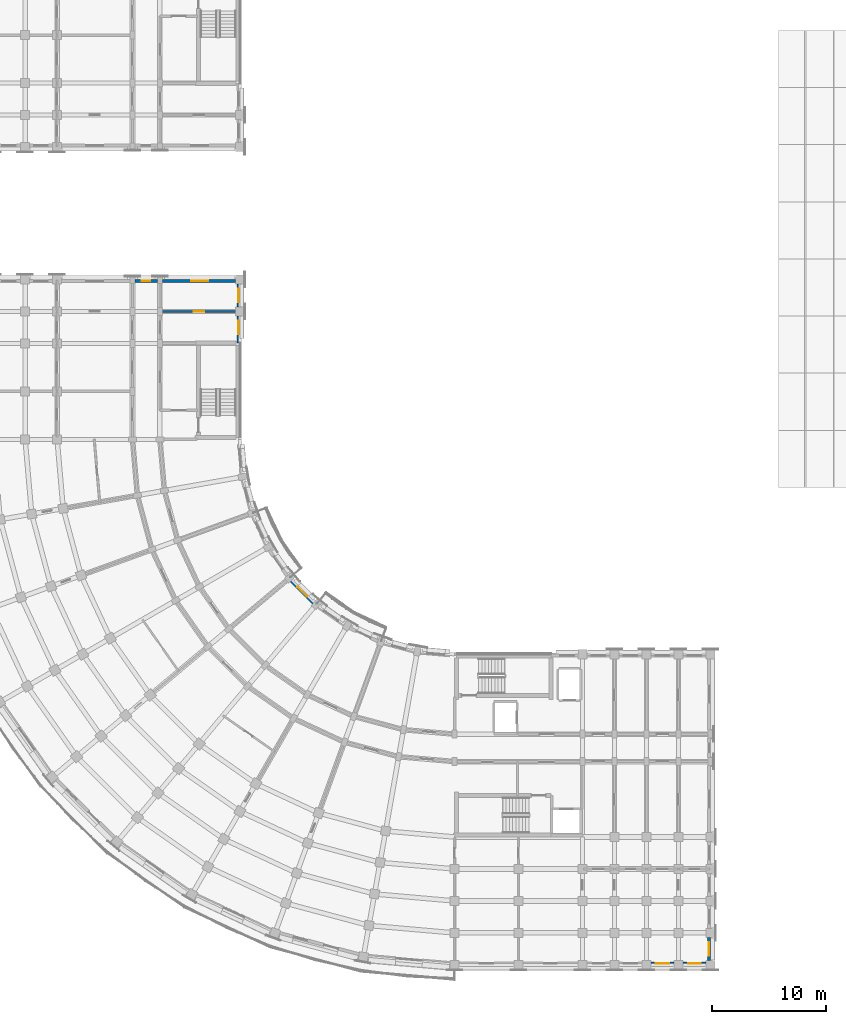
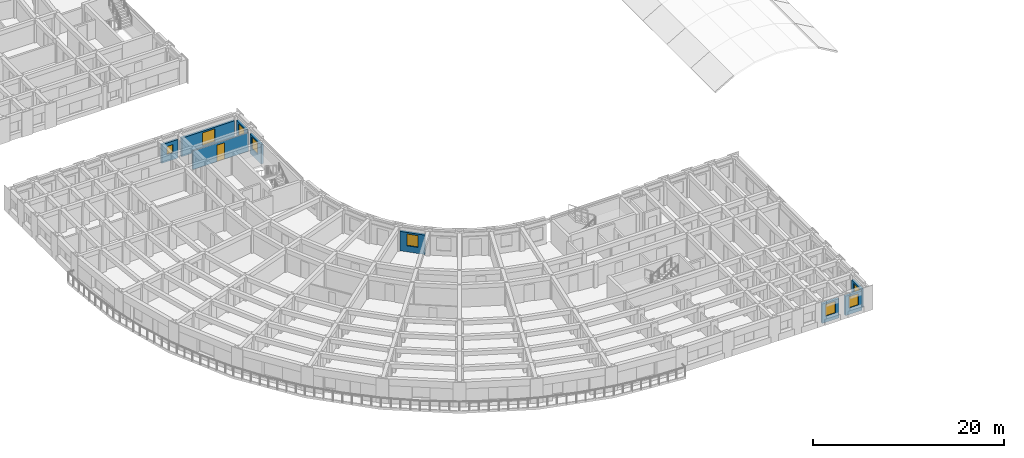
# One storey, part 20 of 54: 9 walls, 8 windows, 1 door, 9 openings.
"""IFC4 building model written with IfcOpenShell, lengths in metres."""

from ifc_helpers import new_model, si_unit, direction, frame, frame_2d, origin, place, context, subcontext, project, spatial, rectangle, extrude, material, layer, layer_set, type_object, element, fill, save


model = new_model("IFC4")

# Units and contexts
model_context = context("Model", 3, precision=1e-05, world=origin(), true_north=direction((0.0, 1.0)))
body_context = subcontext(model_context, "Body", "Model", "MODEL_VIEW")
ifc_project = project(units=[si_unit("LENGTHUNIT", "METRE"), si_unit("AREAUNIT", "SQUARE_METRE"), si_unit("VOLUMEUNIT", "CUBIC_METRE"), si_unit("PLANEANGLEUNIT", "RADIAN"), si_unit("MASSUNIT", "GRAM", prefix="KILO")], contexts=[model_context])

# Site, building, storey
site_placement = place(None, origin())
site = spatial("IfcSite", under=ifc_project, at=site_placement, CompositionType="ELEMENT")
building_placement = place(site_placement, origin())
building = spatial("IfcBuilding", under=site, at=building_placement, Name="Kiranvali Square Residences", CompositionType="ELEMENT")
storey_placement = place(building_placement, frame((0.0, 0.0, 15.0)))
storey = spatial("IfcBuildingStorey", under=building, at=storey_placement, Name="L04", CompositionType="ELEMENT", Elevation=15.0)

# Wall, opening, window
ifc_material_1 = material(Name="Breathable lime-rendered clay brick masonry", Category="masonry")
ifc_layer_1 = layer(ifc_material_1, 0.27490234375)
ifc_layer_set_1 = layer_set([ifc_layer_1], Name="Breathable lime-rendered clay brick masonry")
wall_type_1 = type_object("IfcWallType", Name="WL-EXT-275", PredefinedType="STANDARD", material=ifc_layer_set_1)
wall_1_placement = place(storey_placement, frame((35.829345703125, 33.90771484375, 0.0), z_axis=(0.0, 0.0, 1.0), x_axis=(-0.707106781187, 0.707106781187, 0.0)))
wall_1 = element("IfcWall", 1, at=wall_1_placement, inside=storey, type_object=wall_type_1, Name="L04 exterior wall C-L04-GDN-04", PredefinedType="STANDARD", context=body_context, shape_type="SweptSolid", body=[
    extrude(rectangle(XDim=2.717529296875, YDim=0.27490234375, at=frame_2d((1.35888671875, 0.0))), origin(), (0.0, 0.0, 1.0), 2.471923828125),
])
opening_1_placement = place(wall_1_placement, frame((0.7587890625, 0.0, 0.77197265625)))
opening_1 = element("IfcOpeningElement", 2, at=opening_1_placement, cuts=wall_1, Name="Opening W-06", PredefinedType="OPENING", context=body_context, shape_type="SweptSolid", body=[
    extrude(rectangle(XDim=1.199951171875, YDim=1.5, at=frame_2d((0.60009765625, 0.75))), frame((0.0, 0.1474609375, 0.0), z_axis=(0.0, -1.0, 0.0), x_axis=(1.0, 0.0, 0.0)), (0.0, 0.0, 1.0), 0.294921875),
])
ifc_material_2 = material(Name="Solar-control low-e double glazing", Category="glass")
window_type_1 = type_object("IfcWindowType", Name="WIN-RES-1200x1500", PartitioningType="SINGLE_PANEL", PredefinedType="WINDOW", material=ifc_material_2)
window_1_placement = place(opening_1_placement, origin())
window_1 = element("IfcWindow", 3, at=window_1_placement, inside=storey, type_object=window_type_1, Name="L04 recessed window C-L04-GDN-04", OverallHeight=1.5, OverallWidth=1.199951171875, PartitioningType="SINGLE_PANEL", PredefinedType="WINDOW", context=body_context, shape_type="SweptSolid", body=[
    extrude(rectangle(XDim=1.199951171875, YDim=1.5, at=frame_2d((0.60009765625, 0.75))), frame((0.0, 0.030029296875, 0.0), z_axis=(0.0, -1.0, 0.0), x_axis=(1.0, 0.0, 0.0)), (0.0, 0.0, 1.0), 0.06005859375),
])
fill(opening_1, window_1)

wall_2_placement = place(storey_placement, frame((65.403564453125, 2.324951171875, 0.0), z_axis=(0.0, 0.0, 1.0), x_axis=(1.0, 0.0, 0.0)))
wall_2 = element("IfcWall", 4, at=wall_2_placement, inside=storey, type_object=wall_type_1, Name="L04 exterior wall C-L04-A1O-4", PredefinedType="STANDARD", context=body_context, shape_type="SweptSolid", body=[
    extrude(rectangle(XDim=1.992919921875, YDim=0.27490234375, at=frame_2d((0.99658203125, 0.0))), origin(), (0.0, 0.0, 1.0), 2.471923828125),
])
opening_2_placement = place(wall_2_placement, frame((0.396484375, 0.0, 0.77197265625)))
opening_2 = element("IfcOpeningElement", 5, at=opening_2_placement, cuts=wall_2, Name="Opening W-06", PredefinedType="OPENING", context=body_context, shape_type="SweptSolid", body=[
    extrude(rectangle(XDim=1.199951171875, YDim=1.5, at=frame_2d((0.60009765625, 0.75))), frame((0.0, 0.1474609375, 0.0), z_axis=(0.0, -1.0, 0.0), x_axis=(1.0, 0.0, 0.0)), (0.0, 0.0, 1.0), 0.294921875),
])
window_2_placement = place(opening_2_placement, origin())
window_2 = element("IfcWindow", 6, at=window_2_placement, inside=storey, type_object=window_type_1, Name="L04 recessed window C-L04-A1O-4", OverallHeight=1.5, OverallWidth=1.199951171875, PartitioningType="SINGLE_PANEL", PredefinedType="WINDOW", context=body_context, shape_type="SweptSolid", body=[
    extrude(rectangle(XDim=1.199951171875, YDim=1.5, at=frame_2d((0.60009765625, 0.75))), frame((0.0, 0.030029296875, 0.0), z_axis=(0.0, -1.0, 0.0), x_axis=(1.0, 0.0, 0.0)), (0.0, 0.0, 1.0), 0.06005859375),
])
fill(opening_2, window_2)

wall_3_placement = place(storey_placement, frame((68.20361328125, 2.324951171875, 0.0), z_axis=(0.0, 0.0, 1.0), x_axis=(1.0, 0.0, 0.0)))
wall_3 = element("IfcWall", 7, at=wall_3_placement, inside=storey, type_object=wall_type_1, Name="L04 exterior wall C-L04-A1O-5", PredefinedType="STANDARD", context=body_context, shape_type="SweptSolid", body=[
    extrude(rectangle(XDim=1.992919921875, YDim=0.27490234375, at=frame_2d((0.99658203125, 0.0))), origin(), (0.0, 0.0, 1.0), 2.471923828125),
])
opening_3_placement = place(wall_3_placement, frame((0.446533203125, 0.0, 0.822021484375)))
opening_3 = element("IfcOpeningElement", 8, at=opening_3_placement, cuts=wall_3, Name="Opening W-15", PredefinedType="OPENING", context=body_context, shape_type="SweptSolid", body=[
    extrude(rectangle(XDim=1.10009765625, YDim=1.449951171875, at=frame_2d((0.550048828125, 0.72509765625))), frame((0.0, 0.1474609375, 0.0), z_axis=(0.0, -1.0, 0.0), x_axis=(1.0, 0.0, 0.0)), (0.0, 0.0, 1.0), 0.294921875),
])
window_type_2 = type_object("IfcWindowType", Name="WIN-RES-1100x1450", PartitioningType="SINGLE_PANEL", PredefinedType="WINDOW", material=ifc_material_2)
window_3_placement = place(opening_3_placement, origin())
window_3 = element("IfcWindow", 9, at=window_3_placement, inside=storey, type_object=window_type_2, Name="L04 recessed window C-L04-A1O-5", OverallHeight=1.449951171875, OverallWidth=1.10009765625, PartitioningType="SINGLE_PANEL", PredefinedType="WINDOW", context=body_context, shape_type="SweptSolid", body=[
    extrude(rectangle(XDim=1.10009765625, YDim=1.449951171875, at=frame_2d((0.550048828125, 0.72509765625))), frame((0.0, 0.030029296875, 0.0), z_axis=(0.0, -1.0, 0.0), x_axis=(1.0, 0.0, 0.0)), (0.0, 0.0, 1.0), 0.06005859375),
])
fill(opening_3, window_3)

wall_4_placement = place(storey_placement, frame((70.47509765625, 4.596435546875, 0.0), z_axis=(0.0, 0.0, 1.0), x_axis=(0.0, -1.0, 0.0)))
wall_4 = element("IfcWall", 10, at=wall_4_placement, inside=storey, type_object=wall_type_1, Name="L04 exterior wall C-L04-A1END-6", PredefinedType="STANDARD", context=body_context, shape_type="SweptSolid", body=[
    extrude(rectangle(XDim=1.992919921875, YDim=0.27490234375, at=frame_2d((0.99658203125, 0.0))), origin(), (0.0, 0.0, 1.0), 2.3720703125),
])
opening_4_placement = place(wall_4_placement, frame((0.396484375, 0.0, 0.672119140625)))
opening_4 = element("IfcOpeningElement", 11, at=opening_4_placement, cuts=wall_4, Name="Opening W-06", PredefinedType="OPENING", context=body_context, shape_type="SweptSolid", body=[
    extrude(rectangle(XDim=1.199951171875, YDim=1.5, at=frame_2d((0.60009765625, 0.75))), frame((0.0, 0.1474609375, 0.0), z_axis=(0.0, -1.0, 0.0), x_axis=(1.0, 0.0, 0.0)), (0.0, 0.0, 1.0), 0.294921875),
])
window_4_placement = place(opening_4_placement, origin())
window_4 = element("IfcWindow", 12, at=window_4_placement, inside=storey, type_object=window_type_1, Name="L04 recessed window C-L04-A1END-6", OverallHeight=1.5, OverallWidth=1.199951171875, PartitioningType="SINGLE_PANEL", PredefinedType="WINDOW", context=body_context, shape_type="SweptSolid", body=[
    extrude(rectangle(XDim=1.199951171875, YDim=1.5, at=frame_2d((0.60009765625, 0.75))), frame((0.0, 0.030029296875, 0.0), z_axis=(0.0, -1.0, 0.0), x_axis=(1.0, 0.0, 0.0)), (0.0, 0.0, 1.0), 0.06005859375),
])
fill(opening_4, window_4)

wall_5_placement = place(storey_placement, frame((29.27490234375, 56.62841796875, 0.0), z_axis=(0.0, 0.0, 1.0), x_axis=(0.0, 1.0, 0.0)))
wall_5 = element("IfcWall", 13, at=wall_5_placement, inside=storey, type_object=wall_type_1, Name="L04 exterior wall C-L04-A2I-0", PredefinedType="STANDARD", context=body_context, shape_type="SweptSolid", body=[
    extrude(rectangle(XDim=2.3681640625, YDim=0.27490234375, at=frame_2d((1.18408203125, 0.0))), origin(), (0.0, 0.0, 1.0), 2.471923828125),
])
opening_5_placement = place(wall_5_placement, frame((0.771484375, 0.0, 0.77197265625)))
opening_5 = element("IfcOpeningElement", 14, at=opening_5_placement, cuts=wall_5, Name="Opening W-06", PredefinedType="OPENING", context=body_context, shape_type="SweptSolid", body=[
    extrude(rectangle(XDim=1.199951171875, YDim=1.5, at=frame_2d((0.60009765625, 0.75))), frame((0.0, 0.1474609375, 0.0), z_axis=(0.0, -1.0, 0.0), x_axis=(1.0, 0.0, 0.0)), (0.0, 0.0, 1.0), 0.294921875),
])
window_5_placement = place(opening_5_placement, origin())
window_5 = element("IfcWindow", 15, at=window_5_placement, inside=storey, type_object=window_type_1, Name="L04 recessed window C-L04-A2I-0", OverallHeight=1.5, OverallWidth=1.199951171875, PartitioningType="SINGLE_PANEL", PredefinedType="WINDOW", context=body_context, shape_type="SweptSolid", body=[
    extrude(rectangle(XDim=1.199951171875, YDim=1.5, at=frame_2d((0.60009765625, 0.75))), frame((0.0, 0.030029296875, 0.0), z_axis=(0.0, -1.0, 0.0), x_axis=(1.0, 0.0, 0.0)), (0.0, 0.0, 1.0), 0.06005859375),
])
fill(opening_5, window_5)

wall_6_placement = place(storey_placement, frame((29.27490234375, 59.803466796875, 0.0), z_axis=(0.0, 0.0, 1.0), x_axis=(0.0, 1.0, 0.0)))
wall_6 = element("IfcWall", 16, at=wall_6_placement, inside=storey, type_object=wall_type_1, Name="L04 exterior wall C-L04-A2I-1", PredefinedType="STANDARD", context=body_context, shape_type="SweptSolid", body=[
    extrude(rectangle(XDim=1.992919921875, YDim=0.27490234375, at=frame_2d((0.99658203125, 0.0))), origin(), (0.0, 0.0, 1.0), 2.471923828125),
])
opening_6_placement = place(wall_6_placement, frame((0.396484375, 0.0, 0.77197265625)))
opening_6 = element("IfcOpeningElement", 17, at=opening_6_placement, cuts=wall_6, Name="Opening W-06", PredefinedType="OPENING", context=body_context, shape_type="SweptSolid", body=[
    extrude(rectangle(XDim=1.199951171875, YDim=1.5, at=frame_2d((0.60009765625, 0.75))), frame((0.0, 0.1474609375, 0.0), z_axis=(0.0, -1.0, 0.0), x_axis=(1.0, 0.0, 0.0)), (0.0, 0.0, 1.0), 0.294921875),
])
window_6_placement = place(opening_6_placement, origin())
window_6 = element("IfcWindow", 18, at=window_6_placement, inside=storey, type_object=window_type_1, Name="L04 recessed window C-L04-A2I-1", OverallHeight=1.5, OverallWidth=1.199951171875, PartitioningType="SINGLE_PANEL", PredefinedType="WINDOW", context=body_context, shape_type="SweptSolid", body=[
    extrude(rectangle(XDim=1.199951171875, YDim=1.5, at=frame_2d((0.60009765625, 0.75))), frame((0.0, 0.030029296875, 0.0), z_axis=(0.0, -1.0, 0.0), x_axis=(1.0, 0.0, 0.0)), (0.0, 0.0, 1.0), 0.06005859375),
])
fill(opening_6, window_6)

wall_7_placement = place(storey_placement, frame((28.99658203125, 62.074951171875, 0.0), z_axis=(0.0, 0.0, 1.0), x_axis=(-1.0, 0.0, 0.0)))
wall_7 = element("IfcWall", 19, at=wall_7_placement, inside=storey, type_object=wall_type_1, Name="L04 exterior wall C-L04-A2END-0", PredefinedType="STANDARD", context=body_context, shape_type="SweptSolid", body=[
    extrude(rectangle(XDim=6.3681640625, YDim=0.27490234375, at=frame_2d((3.18408203125, 0.0))), origin(), (0.0, 0.0, 1.0), 2.3720703125),
])
opening_7_placement = place(wall_7_placement, frame((2.346435546875, 0.0, 0.52197265625)))
opening_7 = element("IfcOpeningElement", 20, at=opening_7_placement, cuts=wall_7, Name="Opening W-05", PredefinedType="OPENING", context=body_context, shape_type="SweptSolid", body=[
    extrude(rectangle(XDim=1.5, YDim=1.64990234375, at=frame_2d((0.75, 0.824951171875))), frame((0.0, 0.1474609375, 0.0), z_axis=(0.0, -1.0, 0.0), x_axis=(1.0, 0.0, 0.0)), (0.0, 0.0, 1.0), 0.294921875),
])
window_type_3 = type_object("IfcWindowType", Name="WIN-RES-1500x1650", PartitioningType="DOUBLE_PANEL_VERTICAL", PredefinedType="WINDOW", material=ifc_material_2)
window_7_placement = place(opening_7_placement, origin())
window_7 = element("IfcWindow", 21, at=window_7_placement, inside=storey, type_object=window_type_3, Name="L04 recessed window C-L04-A2END-0", OverallHeight=1.64990234375, OverallWidth=1.5, PartitioningType="DOUBLE_PANEL_VERTICAL", PredefinedType="WINDOW", context=body_context, shape_type="SweptSolid", body=[
    extrude(rectangle(XDim=1.5, YDim=1.64990234375, at=frame_2d((0.75, 0.824951171875))), frame((0.0, 0.030029296875, 0.0), z_axis=(0.0, -1.0, 0.0), x_axis=(1.0, 0.0, 0.0)), (0.0, 0.0, 1.0), 0.06005859375),
])
fill(opening_7, window_7)

wall_8_placement = place(storey_placement, frame((22.17138671875, 62.074951171875, 0.0), z_axis=(0.0, 0.0, 1.0), x_axis=(-1.0, 0.0, 0.0)))
wall_8 = element("IfcWall", 22, at=wall_8_placement, inside=storey, type_object=wall_type_1, Name="L04 exterior wall C-L04-A2END-1", PredefinedType="STANDARD", context=body_context, shape_type="SweptSolid", body=[
    extrude(rectangle(XDim=1.94287109375, YDim=0.27490234375, at=frame_2d((0.971435546875, 0.0))), origin(), (0.0, 0.0, 1.0), 2.3720703125),
])
opening_8_placement = place(wall_8_placement, frame((0.596435546875, 0.0, 0.8798828125)))
opening_8 = element("IfcOpeningElement", 23, at=opening_8_placement, cuts=wall_8, Name="Opening W-07", PredefinedType="OPENING", context=body_context, shape_type="SweptSolid", body=[
    extrude(rectangle(XDim=0.75, YDim=1.050048828125, at=frame_2d((0.375, 0.52490234375))), frame((0.0, 0.1474609375, 0.0), z_axis=(0.0, -1.0, 0.0), x_axis=(1.0, 0.0, 0.0)), (0.0, 0.0, 1.0), 0.294921875),
])
window_type_4 = type_object("IfcWindowType", Name="WIN-WET-750x1050", PartitioningType="SINGLE_PANEL", PredefinedType="WINDOW", material=ifc_material_2)
window_8_placement = place(opening_8_placement, origin())
window_8 = element("IfcWindow", 24, at=window_8_placement, inside=storey, type_object=window_type_4, Name="L04 recessed window C-L04-A2END-1", OverallHeight=1.050048828125, OverallWidth=0.75, PartitioningType="SINGLE_PANEL", PredefinedType="WINDOW", context=body_context, shape_type="SweptSolid", body=[
    extrude(rectangle(XDim=0.75, YDim=1.050048828125, at=frame_2d((0.375, 0.52490234375))), frame((0.0, 0.030029296875, 0.0), z_axis=(0.0, -1.0, 0.0), x_axis=(1.0, 0.0, 0.0)), (0.0, 0.0, 1.0), 0.06005859375),
])
fill(opening_8, window_8)

# Wall, opening, door
ifc_material_3 = material(Name="Acoustic gypsum board drylined partition", Category="gypsum")
ifc_layer_2 = layer(ifc_material_3, 0.14990234375)
ifc_layer_set_2 = layer_set([ifc_layer_2], Name="Acoustic gypsum board drylined partition")
wall_type_2 = type_object("IfcWallType", Name="WL-PRT-150", PredefinedType="PARTITIONING", material=ifc_layer_set_2)
wall_9_placement = place(storey_placement, frame((29.199951171875, 59.39990234375, 0.0), z_axis=(0.0, 0.0, 1.0), x_axis=(-1.0, 0.0, 0.0)))
wall_9 = element("IfcWall", 25, at=wall_9_placement, inside=storey, type_object=wall_type_2, Name="L04 architectural wall WL-L04-C-A2TI-1", PredefinedType="PARTITIONING", context=body_context, shape_type="SweptSolid", body=[
    extrude(rectangle(XDim=6.75, YDim=0.14990234375, at=frame_2d((3.375, 0.0))), origin(), (0.0, 0.0, 1.0), 2.3720703125),
])
opening_9_placement = place(wall_9_placement, frame((2.925048828125, 0.0, 0.0)))
opening_9 = element("IfcOpeningElement", 26, at=opening_9_placement, cuts=wall_9, Name="Opening ID-1", PredefinedType="OPENING", context=body_context, shape_type="SweptSolid", body=[
    extrude(rectangle(XDim=0.89990234375, YDim=2.10009765625, at=frame_2d((0.449951171875, 1.050048828125))), frame((0.0, 0.0849609375, 0.0), z_axis=(0.0, -1.0, 0.0), x_axis=(1.0, 0.0, 0.0)), (0.0, 0.0, 1.0), 0.169921875),
])
ifc_material_4 = material(Name="Solid seasoned teak hardwood joinery", Category="wood")
door_type = type_object("IfcDoorType", Name="DR-INT-900", OperationType="NOTDEFINED", PredefinedType="DOOR", material=ifc_material_4)
door_placement = place(opening_9_placement, frame((0.89990234375, 0.0, 0.0), z_axis=(0.0, 0.0, 1.0), x_axis=(-1.0, 0.0, 0.0)))
door = element("IfcDoor", 27, at=door_placement, inside=storey, type_object=door_type, Name="L04 door DR-L04-2018 (DR-INT-900)", OperationType="SINGLE_SWING_RIGHT", OverallHeight=2.10009765625, OverallWidth=0.89990234375, PredefinedType="DOOR", context=body_context, shape_type="SweptSolid", body=[
    extrude(rectangle(XDim=0.89990234375, YDim=2.10009765625, at=frame_2d((0.449951171875, 1.050048828125))), frame((0.0, 0.02490234375, 0.0), z_axis=(0.0, -1.0, 0.0), x_axis=(1.0, 0.0, 0.0)), (0.0, 0.0, 1.0), 0.050048828125),
])
fill(opening_9, door)

save(model, "model.ifc")
